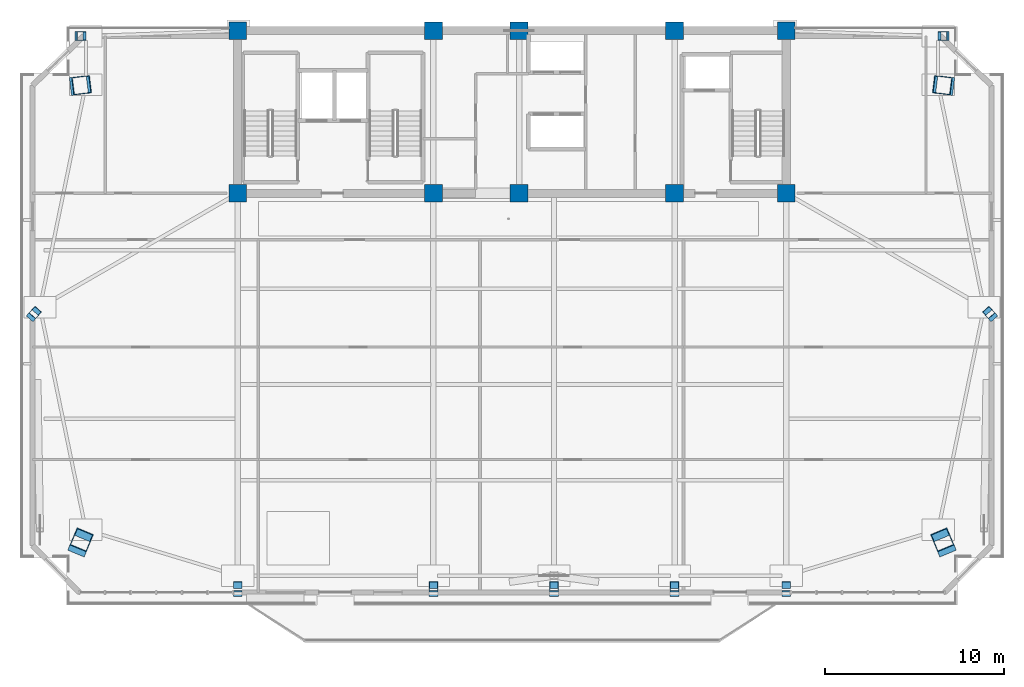
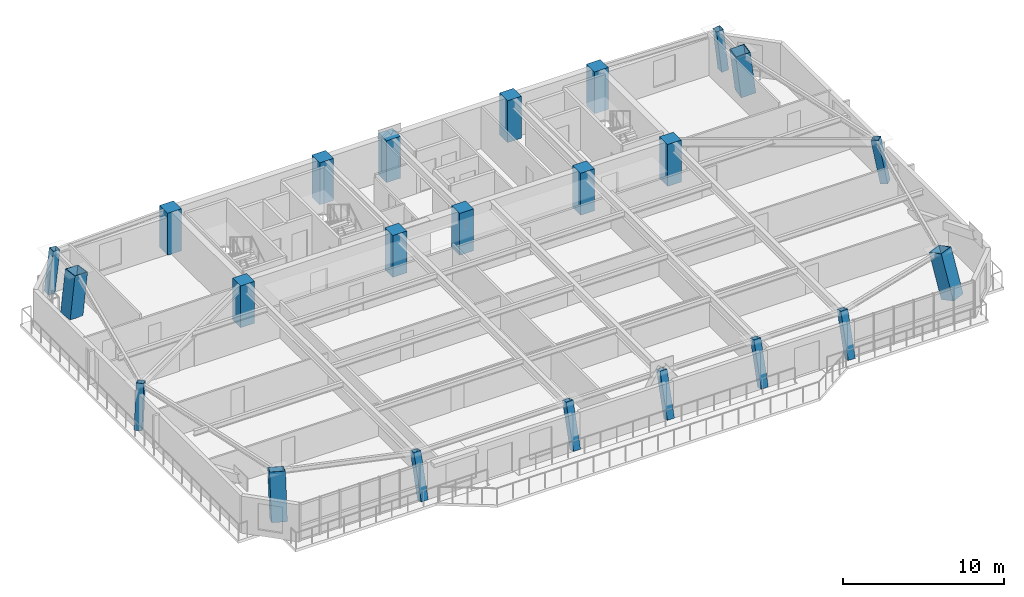
# One storey, part 1 of 16: 23 columns.
"""IFC4 building model written with IfcOpenShell, lengths in metres."""

from ifc_helpers import new_model, si_unit, direction, frame, origin, origin_2d, place, context, subcontext, project, spatial, rectangle, hollow_rectangle, extrude, source, transform, mapped, material, material_profile, profile_set, type_object, element, save


model = new_model("IFC4")

# Units and contexts
model_context = context("Model", 3, precision=1e-05, world=origin(), true_north=direction((0.0, 1.0)))
body_context = subcontext(model_context, "Body", "Model", "MODEL_VIEW")
ifc_project = project(units=[si_unit("LENGTHUNIT", "METRE"), si_unit("AREAUNIT", "SQUARE_METRE"), si_unit("VOLUMEUNIT", "CUBIC_METRE"), si_unit("PLANEANGLEUNIT", "RADIAN"), si_unit("MASSUNIT", "GRAM", prefix="KILO")], contexts=[model_context])

# Site, building, storey
site_placement = place(None, origin())
site = spatial("IfcSite", under=ifc_project, at=site_placement, CompositionType="ELEMENT")
building_placement = place(site_placement, origin())
building = spatial("IfcBuilding", under=site, at=building_placement, Name="Giltprow Tower", CompositionType="ELEMENT")
storey_placement = place(building_placement, frame((0.0, 0.0, 255.300048828125)))
storey = spatial("IfcBuildingStorey", under=building, at=storey_placement, Name="L65", CompositionType="ELEMENT", Elevation=255.300048828125)

# Columns
ifc_material_1 = material(Name="Concrete C50", Category="concrete")
ifc_material_profile_1 = material_profile(ifc_material_1, rectangle(XDim=1.0, YDim=1.0, at=origin_2d()), Name="RC 1000x1000")
ifc_profile_set_1 = profile_set([ifc_material_profile_1], Name="Concrete C50")
column_type_1 = type_object("IfcColumnType", Name="PIL-RC-1000-C50", PredefinedType="PILASTER", material=ifc_profile_set_1)
shared_shape_1 = source(origin(), body_context, "Body", "SweptSolid", [
    extrude(rectangle(XDim=1.0, YDim=1.0, at=origin_2d()), origin(), (0.0, 0.0, 1.0), 3.18505859375),
])
for number, where, z_axis, x_axis, name in (
    (1, (19.85009765625, 37.449951171875, 0.0), (0.0, 0.0, 1.0), (1.0, 0.0, 0.0), "L65 Core Boundary Pilaster 1-1"),
    (2, (19.85009765625, 46.550048828125, 0.0), (0.0, 0.0, 1.0), (1.0, 0.0, 0.0), "L65 Core Boundary Pilaster 1-2"),
    (3, (30.800048828125, 37.449951171875, 0.0), (0.0, 0.0, 1.0), (1.0, 0.0, 0.0), "L65 Core Boundary Pilaster 2-1"),
    (4, (30.800048828125, 46.550048828125, 0.0), (0.0, 0.0, 1.0), (1.0, 0.0, 0.0), "L65 Core Boundary Pilaster 2-2"),
    (5, (35.60009765625, 37.449951171875, 0.0), (0.0, 0.0, 1.0), (1.0, 0.0, 0.0), "L65 Core Boundary Pilaster 3-1"),
    (6, (35.60009765625, 46.550048828125, 0.0), (0.0, 0.0, 1.0), (1.0, 0.0, 0.0), "L65 Core Boundary Pilaster 3-2"),
    (7, (44.300048828125, 37.449951171875, 0.0), (0.0, 0.0, 1.0), (1.0, 0.0, 0.0), "L65 Core Boundary Pilaster 4-1"),
    (8, (44.300048828125, 46.550048828125, 0.0), (0.0, 0.0, 1.0), (1.0, 0.0, 0.0), "L65 Core Boundary Pilaster 4-2"),
    (9, (50.550048828125, 37.449951171875, 0.0), (0.0, 0.0, 1.0), (1.0, 0.0, 0.0), "L65 Core Boundary Pilaster 5-1"),
    (10, (50.550048828125, 46.550048828125, 0.0), (0.0, 0.0, 1.0), (1.0, 0.0, 0.0), "L65 Core Boundary Pilaster 5-2"),
):
    element("IfcColumn", number, at=place(storey_placement, frame(where, z_axis=z_axis, x_axis=x_axis)), inside=storey, type_object=column_type_1, Name=name, PredefinedType="PILASTER", context=body_context, shape_type="MappedRepresentation", body=[
        mapped(shared_shape_1, transform((0.0, 0.0, 0.0), x_axis=(1.0, 0.0, 0.0), y_axis=(0.0, 1.0, 0.0), z_axis=(0.0, 0.0, 1.0), scale=1.0)),
    ])
ifc_material_2 = material(Name="Structural steel Q355B", Category="steel")
ifc_material_profile_2 = material_profile(ifc_material_2, hollow_rectangle(XDim=0.5, YDim=0.5, WallThickness=0.02392578125, at=origin_2d()), Name="BOX 500x500x24")
ifc_profile_set_2 = profile_set([ifc_material_profile_2], Name="Structural steel Q355B")
column_type_2 = type_object("IfcColumnType", Name="COL-BOX-500x500x24", PredefinedType="COLUMN", material=ifc_profile_set_2)
shared_shape_2 = source(origin(), body_context, "Body", "SweptSolid", [
    extrude(hollow_rectangle(XDim=0.5, YDim=0.5, WallThickness=0.02392578125, at=origin_2d()), origin(), (0.0, 0.0, 1.0), 3.245361328125),
])
for number, where, z_axis, x_axis, name in (
    (11, (8.364013671875, 30.60693359375, 0.0), (0.12788204807, 0.143303118572, 0.981381881832), (-0.7461113674, 0.665821167759, 0.0), "L65 Perimeter Column W_MID"),
    (12, (62.037109375, 30.60693359375, 0.0), (-0.12788204807, 0.143303118572, 0.981381881832), (-0.7461113674, -0.665821167759, 0.0), "L65 Perimeter Column E_MID"),
):
    element("IfcColumn", number, at=place(storey_placement, frame(where, z_axis=z_axis, x_axis=x_axis)), inside=storey, type_object=column_type_2, Name=name, PredefinedType="COLUMN", context=body_context, shape_type="MappedRepresentation", body=[
        mapped(shared_shape_2, transform((0.0, 0.0, 0.0), x_axis=(1.0, 0.0, 0.0), y_axis=(0.0, 1.0, 0.0), z_axis=(0.0, 0.0, 1.0), scale=1.0)),
    ])
shared_shape_3 = source(origin(), body_context, "Body", "SweptSolid", [
    extrude(hollow_rectangle(XDim=0.5, YDim=0.5, WallThickness=0.02392578125, at=origin_2d()), origin(), (0.0, 0.0, 1.0), 3.206298828125),
])
for number, where, z_axis, x_axis, name in (
    (13, (10.97900390625, 46.25, 0.0), (0.115051831153, 0.0, 0.993359489887), (0.0, 1.0, 0.0), "L65 Perimeter Column N_W"),
    (14, (59.422119140625, 46.25, 0.0), (-0.115126965108, 0.0, 0.993350784922), (0.0, -1.0, 0.0), "L65 Perimeter Column N_E"),
):
    element("IfcColumn", number, at=place(storey_placement, frame(where, z_axis=z_axis, x_axis=x_axis)), inside=storey, type_object=column_type_2, Name=name, PredefinedType="COLUMN", context=body_context, shape_type="MappedRepresentation", body=[
        mapped(shared_shape_3, transform((0.0, 0.0, 0.0), x_axis=(1.0, 0.0, 0.0), y_axis=(0.0, 1.0, 0.0), z_axis=(0.0, 0.0, 1.0), scale=1.0)),
    ])
ifc_material_3 = material(Name="Structural steel Q420GJC", Category="steel")
ifc_material_profile_3 = material_profile(ifc_material_3, hollow_rectangle(XDim=1.0, YDim=1.0, WallThickness=0.044921875, at=origin_2d()), Name="BOX 1000x1000x45")
ifc_profile_set_3 = profile_set([ifc_material_profile_3], Name="Structural steel Q420GJC")
column_type_3 = type_object("IfcColumnType", Name="COL-BOX-1000x1000x45", PredefinedType="COLUMN", material=ifc_profile_set_3)
shared_shape_4 = source(origin(), body_context, "Body", "SweptSolid", [
    extrude(hollow_rectangle(XDim=1.0, YDim=1.0, WallThickness=0.044921875, at=origin_2d()), origin(), (0.0, 0.0, 1.0), 3.326416015625),
])
for number, where, z_axis, x_axis, name in (
    (15, (10.97900390625, 17.72802734375, 0.0), (0.110896020197, 0.266341268892, 0.957478146586), (-0.92317473482, 0.384380552305, 0.0), "L65 Mega-Column MC_SW"),
    (16, (59.422119140625, 17.72802734375, 0.0), (-0.110968509205, 0.266339100467, 0.957470351252), (-0.923084448442, -0.384597323242, 0.0), "L65 Mega-Column MC_SE"),
):
    element("IfcColumn", number, at=place(storey_placement, frame(where, z_axis=z_axis, x_axis=x_axis)), inside=storey, type_object=column_type_3, Name=name, PredefinedType="COLUMN", context=body_context, shape_type="MappedRepresentation", body=[
        mapped(shared_shape_4, transform((0.0, 0.0, 0.0), x_axis=(1.0, 0.0, 0.0), y_axis=(0.0, 1.0, 0.0), z_axis=(0.0, 0.0, 1.0), scale=1.0)),
    ])
shared_shape_5 = source(origin(), body_context, "Body", "SweptSolid", [
    extrude(hollow_rectangle(XDim=1.0, YDim=1.0, WallThickness=0.044921875, at=origin_2d()), origin(), (0.0, 0.0, 1.0), 3.206787109375),
])
for number, where, z_axis, x_axis, name in (
    (17, (10.97900390625, 43.485107421875, 0.0), (0.115040541167, 0.014008907726, 0.993262011955), (-0.12088069872, 0.992667042203, 0.0), "L65 Mega-Column MC_NW"),
    (18, (59.422119140625, 43.485107421875, 0.0), (-0.115115667947, 0.014008784988, 0.993253309552), (-0.120801918231, -0.99267663242, 0.0), "L65 Mega-Column MC_NE"),
):
    element("IfcColumn", number, at=place(storey_placement, frame(where, z_axis=z_axis, x_axis=x_axis)), inside=storey, type_object=column_type_3, Name=name, PredefinedType="COLUMN", context=body_context, shape_type="MappedRepresentation", body=[
        mapped(shared_shape_5, transform((0.0, 0.0, 0.0), x_axis=(1.0, 0.0, 0.0), y_axis=(0.0, 1.0, 0.0), z_axis=(0.0, 0.0, 1.0), scale=1.0)),
    ])
shared_shape_6 = source(origin(), body_context, "Body", "SweptSolid", [
    extrude(hollow_rectangle(XDim=0.5, YDim=0.5, WallThickness=0.02392578125, at=origin_2d()), origin(), (0.0, 0.0, 1.0), 3.318603515625),
])
for number, where, z_axis, x_axis, name in (
    (19, (19.85009765625, 15.113037109375, 0.0), (0.0, 0.280807850571, 0.959764008003), (-1.0, 0.0, 0.0), "L65 Perimeter Column S1"),
    (20, (30.800048828125, 15.113037109375, 0.0), (0.0, 0.280807850571, 0.959764008003), (-1.0, 0.0, 0.0), "L65 Perimeter Column S2"),
    (21, (37.550048828125, 15.113037109375, 0.0), (0.0, 0.280807850571, 0.959764008003), (-1.0, 0.0, 0.0), "L65 Perimeter Column S_MID"),
    (22, (44.300048828125, 15.113037109375, 0.0), (0.0, 0.280807850571, 0.959764008003), (-1.0, 0.0, 0.0), "L65 Perimeter Column S3"),
    (23, (50.550048828125, 15.113037109375, 0.0), (0.0, 0.280807850571, 0.959764008003), (-1.0, 0.0, 0.0), "L65 Perimeter Column S4"),
):
    element("IfcColumn", number, at=place(storey_placement, frame(where, z_axis=z_axis, x_axis=x_axis)), inside=storey, type_object=column_type_2, Name=name, PredefinedType="COLUMN", context=body_context, shape_type="MappedRepresentation", body=[
        mapped(shared_shape_6, transform((0.0, 0.0, 0.0), x_axis=(1.0, 0.0, 0.0), y_axis=(0.0, 1.0, 0.0), z_axis=(0.0, 0.0, 1.0), scale=1.0)),
    ])

save(model, "model.ifc")
